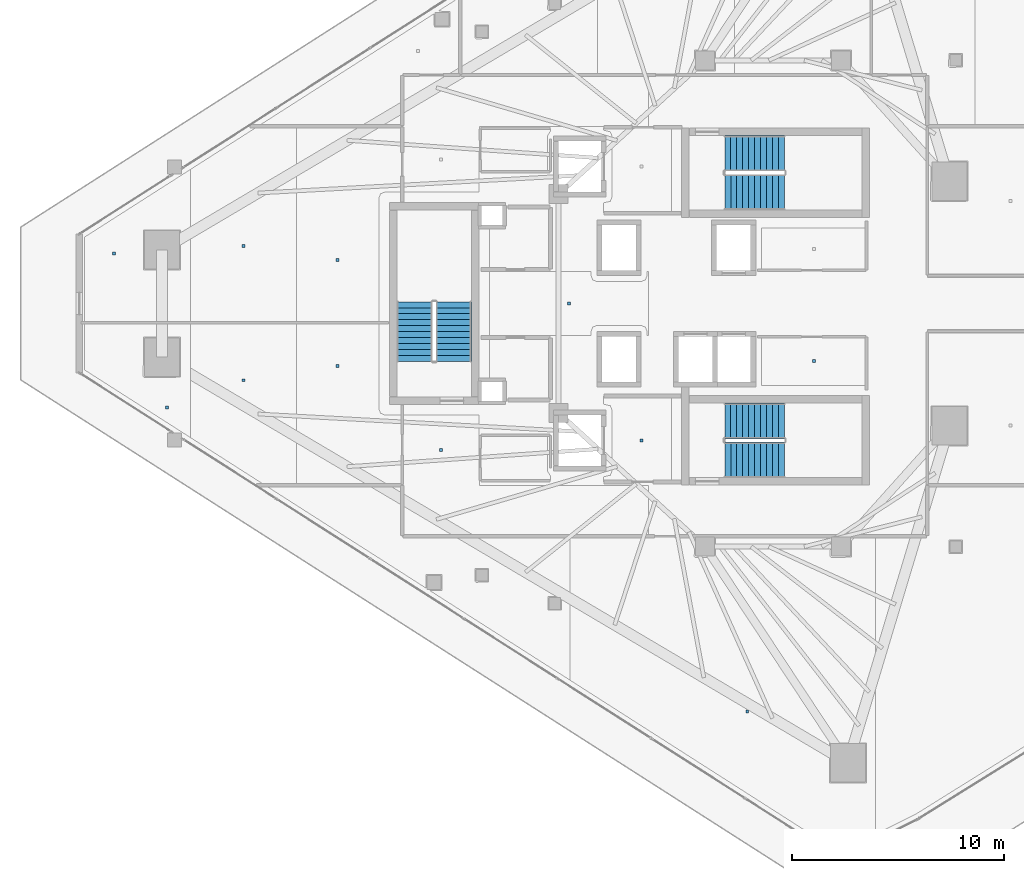
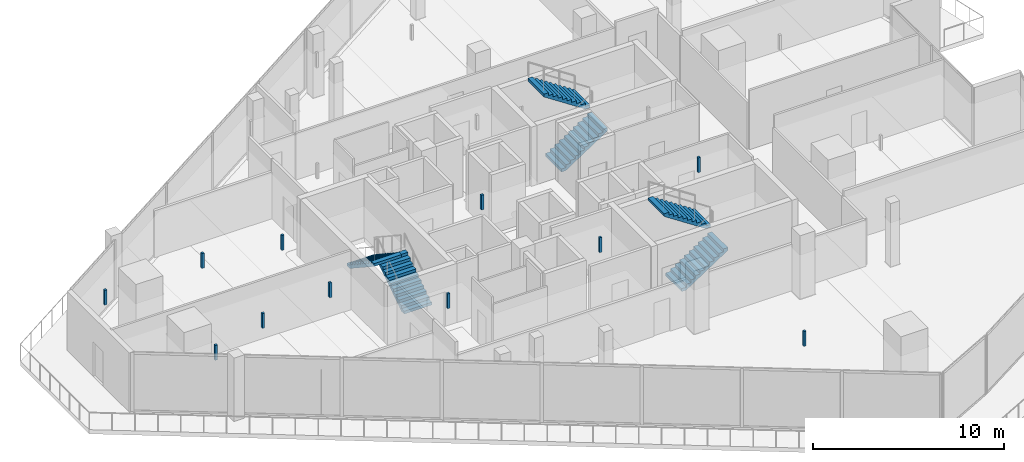
# One storey, part 26 of 33: 11 discrete accessories, 6 stair flights, 3 elements without a shape of their own.
"""IFC4 building model written with IfcOpenShell, lengths in metres."""

from ifc_helpers import new_model, si_unit, direction, frame, origin, origin_2d, place, context, subcontext, project, spatial, polyline, rectangle, outline, extrude, material, layer, layer_set, type_object, element, aggregate, save


model = new_model("IFC4")

# Units and contexts
model_context = context("Model", 3, precision=1e-05, world=origin(), true_north=direction((0.0, 1.0)))
body_context = subcontext(model_context, "Body", "Model", "MODEL_VIEW")
ifc_project = project(units=[si_unit("LENGTHUNIT", "METRE"), si_unit("AREAUNIT", "SQUARE_METRE"), si_unit("VOLUMEUNIT", "CUBIC_METRE"), si_unit("PLANEANGLEUNIT", "RADIAN"), si_unit("MASSUNIT", "GRAM", prefix="KILO")], contexts=[model_context])

# Site, building, storey
site_placement = place(None, origin())
site = spatial("IfcSite", under=ifc_project, at=site_placement, CompositionType="ELEMENT")
building_placement = place(site_placement, origin())
building = spatial("IfcBuilding", under=site, at=building_placement, Name="Qorvath Tower", CompositionType="ELEMENT")
storey_placement = place(building_placement, frame((0.0, 0.0, 221.25)))
storey = spatial("IfcBuildingStorey", under=building, at=storey_placement, Name="L51", CompositionType="ELEMENT", Elevation=221.25)

# Stair, stair flights
ifc_material_1 = material(Name="Concrete C50/60", Category="concrete")
stair_type = type_object("IfcStairType", Name="ST-H405", PredefinedType="HALF_TURN_STAIR", material=ifc_material_1)
stair_1_placement = place(storey_placement, origin())
stair_1 = element("IfcStair", 1, at=stair_1_placement, inside=storey, type_object=stair_type, Name="L51 Tower Exit Stair 1", PredefinedType="HALF_TURN_STAIR")
ifc_material_2 = material(Name="Concrete C50/60", Category="concrete")
ifc_layer = layer(ifc_material_2, 0.14990234375)
ifc_layer_set = layer_set([ifc_layer], Name="SF-H405")
stair_flight_type = type_object("IfcStairFlightType", Name="SF-H405", PredefinedType="STRAIGHT", material=ifc_layer_set)
stair_flight_1_placement = place(storey_placement, frame((-22.669921875, 5.239990234375, 0.0), z_axis=(0.0, 0.0, 1.0), x_axis=(1.0, 0.0, 0.0)))
stair_flight_1 = element("IfcStairFlight", 2, at=stair_flight_1_placement, type_object=stair_flight_type, Name="TS1 flight 1", NumberOfRisers=11, NumberOfTreads=10, PredefinedType="STRAIGHT", RiserHeight=0.184090909, TreadLength=0.28, context=body_context, shape_type="SweptSolid", body=[
    extrude(outline(polyline([(0.0, 0.0), (0.0, 0.18408203125), (0.280029296875, 0.18408203125), (0.280029296875, 0.3681640625), (0.56005859375, 0.3681640625), (0.56005859375, 0.55224609375), (0.840087890625, 0.55224609375), (0.840087890625, 0.736328125), (1.1201171875, 0.736328125), (1.1201171875, 0.92041015625), (1.39990234375, 0.92041015625), (1.39990234375, 1.1044921875), (1.679931640625, 1.1044921875), (1.679931640625, 1.28857421875), (1.9599609375, 1.28857421875), (1.9599609375, 1.47265625), (2.239990234375, 1.47265625), (2.239990234375, 1.65673828125), (2.52001953125, 1.65673828125), (2.52001953125, 1.8408203125), (2.800048828125, 1.8408203125), (2.800048828125, 2.02490234375), (2.800048828125, 1.66162109375), (0.27294921875, 0.0), (0.0, 0.0)])), frame((0.0, 0.83984375, 0.0), z_axis=(0.0, -1.0, 0.0), x_axis=(1.0, 0.0, 0.0)), (0.0, 0.0, 1.0), 1.679931640625),
])
stair_flight_2_placement = place(storey_placement, frame((-19.8701171875, 7.070068359375, 2.02490234375), z_axis=(0.0, 0.0, 1.0), x_axis=(-1.0, 0.0, 0.0)))
stair_flight_2 = element("IfcStairFlight", 3, at=stair_flight_2_placement, type_object=stair_flight_type, Name="TS1 flight 2", NumberOfRisers=11, NumberOfTreads=10, PredefinedType="STRAIGHT", RiserHeight=0.184090909, TreadLength=0.28, context=body_context, shape_type="SweptSolid", body=[
    extrude(outline(polyline([(0.0, 0.0), (0.0, 0.18408203125), (0.280029296875, 0.18408203125), (0.280029296875, 0.3681640625), (0.56005859375, 0.3681640625), (0.56005859375, 0.55224609375), (0.840087890625, 0.55224609375), (0.840087890625, 0.736328125), (1.1201171875, 0.736328125), (1.1201171875, 0.92041015625), (1.39990234375, 0.92041015625), (1.39990234375, 1.1044921875), (1.679931640625, 1.1044921875), (1.679931640625, 1.28857421875), (1.9599609375, 1.28857421875), (1.9599609375, 1.47265625), (2.239990234375, 1.47265625), (2.239990234375, 1.65673828125), (2.52001953125, 1.65673828125), (2.52001953125, 1.8408203125), (2.800048828125, 1.8408203125), (2.800048828125, 2.02490234375), (2.800048828125, 1.66162109375), (0.27294921875, 0.0), (0.0, 0.0)])), frame((0.0, 0.83984375, 0.0), z_axis=(0.0, -1.0, 0.0), x_axis=(1.0, 0.0, 0.0)), (0.0, 0.0, 1.0), 1.679931640625),
])
aggregate(stair_1, [stair_flight_1, stair_flight_2])

stair_2_placement = place(storey_placement, origin())
stair_2 = element("IfcStair", 4, at=stair_2_placement, inside=storey, type_object=stair_type, Name="L51 Tower Exit Stair 2", PredefinedType="HALF_TURN_STAIR")
stair_flight_3_placement = place(storey_placement, frame((-22.669921875, -7.360107421875, 0.0), z_axis=(0.0, 0.0, 1.0), x_axis=(1.0, 0.0, 0.0)))
stair_flight_3 = element("IfcStairFlight", 5, at=stair_flight_3_placement, type_object=stair_flight_type, Name="TS2 flight 1", NumberOfRisers=11, NumberOfTreads=10, PredefinedType="STRAIGHT", RiserHeight=0.184090909, TreadLength=0.28, context=body_context, shape_type="SweptSolid", body=[
    extrude(outline(polyline([(0.0, 0.0), (0.0, 0.18408203125), (0.280029296875, 0.18408203125), (0.280029296875, 0.3681640625), (0.56005859375, 0.3681640625), (0.56005859375, 0.55224609375), (0.840087890625, 0.55224609375), (0.840087890625, 0.736328125), (1.1201171875, 0.736328125), (1.1201171875, 0.92041015625), (1.39990234375, 0.92041015625), (1.39990234375, 1.1044921875), (1.679931640625, 1.1044921875), (1.679931640625, 1.28857421875), (1.9599609375, 1.28857421875), (1.9599609375, 1.47265625), (2.239990234375, 1.47265625), (2.239990234375, 1.65673828125), (2.52001953125, 1.65673828125), (2.52001953125, 1.8408203125), (2.800048828125, 1.8408203125), (2.800048828125, 2.02490234375), (2.800048828125, 1.66162109375), (0.27294921875, 0.0), (0.0, 0.0)])), frame((0.0, 0.83984375, 0.0), z_axis=(0.0, -1.0, 0.0), x_axis=(1.0, 0.0, 0.0)), (0.0, 0.0, 1.0), 1.679931640625),
])
stair_flight_4_placement = place(storey_placement, frame((-19.8701171875, -5.530029296875, 2.02490234375), z_axis=(0.0, 0.0, 1.0), x_axis=(-1.0, 0.0, 0.0)))
stair_flight_4 = element("IfcStairFlight", 6, at=stair_flight_4_placement, type_object=stair_flight_type, Name="TS2 flight 2", NumberOfRisers=11, NumberOfTreads=10, PredefinedType="STRAIGHT", RiserHeight=0.184090909, TreadLength=0.28, context=body_context, shape_type="SweptSolid", body=[
    extrude(outline(polyline([(0.0, 0.0), (0.0, 0.18408203125), (0.280029296875, 0.18408203125), (0.280029296875, 0.3681640625), (0.56005859375, 0.3681640625), (0.56005859375, 0.55224609375), (0.840087890625, 0.55224609375), (0.840087890625, 0.736328125), (1.1201171875, 0.736328125), (1.1201171875, 0.92041015625), (1.39990234375, 0.92041015625), (1.39990234375, 1.1044921875), (1.679931640625, 1.1044921875), (1.679931640625, 1.28857421875), (1.9599609375, 1.28857421875), (1.9599609375, 1.47265625), (2.239990234375, 1.47265625), (2.239990234375, 1.65673828125), (2.52001953125, 1.65673828125), (2.52001953125, 1.8408203125), (2.800048828125, 1.8408203125), (2.800048828125, 2.02490234375), (2.800048828125, 1.66162109375), (0.27294921875, 0.0), (0.0, 0.0)])), frame((0.0, 0.83984375, 0.0), z_axis=(0.0, -1.0, 0.0), x_axis=(1.0, 0.0, 0.0)), (0.0, 0.0, 1.0), 1.679931640625),
])
aggregate(stair_2, [stair_flight_3, stair_flight_4])

stair_3_placement = place(storey_placement, origin())
stair_3 = element("IfcStair", 7, at=stair_3_placement, inside=storey, type_object=stair_type, Name="L51 Tower Exit Stair 3", PredefinedType="HALF_TURN_STAIR")
stair_flight_5_placement = place(storey_placement, frame((-35.43994140625, -2.719970703125, 0.0), z_axis=(0.0, 0.0, 1.0), x_axis=(0.0, 1.0, 0.0)))
stair_flight_5 = element("IfcStairFlight", 8, at=stair_flight_5_placement, type_object=stair_flight_type, Name="TS3 flight 1", NumberOfRisers=11, NumberOfTreads=10, PredefinedType="STRAIGHT", RiserHeight=0.184090909, TreadLength=0.28, context=body_context, shape_type="SweptSolid", body=[
    extrude(outline(polyline([(0.0, 0.0), (0.0, 0.18408203125), (0.280029296875, 0.18408203125), (0.280029296875, 0.3681640625), (0.56005859375, 0.3681640625), (0.56005859375, 0.55224609375), (0.840087890625, 0.55224609375), (0.840087890625, 0.736328125), (1.1201171875, 0.736328125), (1.1201171875, 0.92041015625), (1.39990234375, 0.92041015625), (1.39990234375, 1.1044921875), (1.679931640625, 1.1044921875), (1.679931640625, 1.28857421875), (1.9599609375, 1.28857421875), (1.9599609375, 1.47265625), (2.239990234375, 1.47265625), (2.239990234375, 1.65673828125), (2.52001953125, 1.65673828125), (2.52001953125, 1.8408203125), (2.800048828125, 1.8408203125), (2.800048828125, 2.02490234375), (2.800048828125, 1.66162109375), (0.27294921875, 0.0), (0.0, 0.0)])), frame((0.0, 0.83984375, 0.0), z_axis=(0.0, -1.0, 0.0), x_axis=(1.0, 0.0, 0.0)), (0.0, 0.0, 1.0), 1.679931640625),
])
stair_flight_6_placement = place(storey_placement, frame((-37.27001953125, 0.080078125, 2.02490234375), z_axis=(0.0, 0.0, 1.0), x_axis=(0.0, -1.0, 0.0)))
stair_flight_6 = element("IfcStairFlight", 9, at=stair_flight_6_placement, type_object=stair_flight_type, Name="TS3 flight 2", NumberOfRisers=11, NumberOfTreads=10, PredefinedType="STRAIGHT", RiserHeight=0.184090909, TreadLength=0.28, context=body_context, shape_type="SweptSolid", body=[
    extrude(outline(polyline([(0.0, 0.0), (0.0, 0.18408203125), (0.280029296875, 0.18408203125), (0.280029296875, 0.3681640625), (0.56005859375, 0.3681640625), (0.56005859375, 0.55224609375), (0.840087890625, 0.55224609375), (0.840087890625, 0.736328125), (1.1201171875, 0.736328125), (1.1201171875, 0.92041015625), (1.39990234375, 0.92041015625), (1.39990234375, 1.1044921875), (1.679931640625, 1.1044921875), (1.679931640625, 1.28857421875), (1.9599609375, 1.28857421875), (1.9599609375, 1.47265625), (2.239990234375, 1.47265625), (2.239990234375, 1.65673828125), (2.52001953125, 1.65673828125), (2.52001953125, 1.8408203125), (2.800048828125, 1.8408203125), (2.800048828125, 2.02490234375), (2.800048828125, 1.66162109375), (0.27294921875, 0.0), (0.0, 0.0)])), frame((0.0, 0.83984375, 0.0), z_axis=(0.0, -1.0, 0.0), x_axis=(1.0, 0.0, 0.0)), (0.0, 0.0, 1.0), 1.679931640625),
])
aggregate(stair_3, [stair_flight_5, stair_flight_6])

# Discrete accessories
ifc_material_3 = material(Name="Galvanised steel bracket", Category="steel")
discrete_accessory_type = type_object("IfcDiscreteAccessoryType", Name="DA-BRACKET", PredefinedType="BRACKET", material=ifc_material_3)
for number, where, z_axis, x_axis, name in (
    (10, (-26.590087890625, -6.449951171875, 2.85986328125), (0.0, 0.0, 1.0), (1.0, 0.0, 0.0), "Acoustic Ceiling Suspension Hanger T1-L51-002"),
    (11, (-18.472412109375, -2.70751953125, 2.85986328125), (0.0, 0.0, 1.0), (1.0, 0.0, 0.0), "Acoustic Ceiling Suspension Hanger T1-L51-004"),
    (12, (-36.04150390625, -6.907470703125, 2.85986328125), (0.0, 0.0, 1.0), (1.0, 0.0, 0.0), "Acoustic Ceiling Suspension Hanger T1-L51-009"),
    (13, (-30.009521484375, 0.0, 2.85986328125), (0.0, 0.0, 1.0), (1.0, 0.0, 0.0), "Acoustic Ceiling Suspension Hanger T1-L51-011"),
    (14, (-21.61279296875, -19.212158203125, 2.85986328125), (0.0, 0.0, 1.0), (1.0, 0.0, 0.0), "Acoustic Ceiling Suspension Hanger T1-L51-020"),
    (15, (-48.934326171875, -4.89990234375, 2.85986328125), (0.0, 0.0, 1.0), (1.0, 0.0, 0.0), "Acoustic Ceiling Suspension Hanger T1-L51-026"),
    (16, (-45.337890625, -3.61376953125, 2.85986328125), (0.0, 0.0, 1.0), (1.0, 0.0, 0.0), "Acoustic Ceiling Suspension Hanger T1-L51-027"),
    (17, (-40.898193359375, -2.95263671875, 2.85986328125), (0.0, 0.0, 1.0), (1.0, 0.0, 0.0), "Acoustic Ceiling Suspension Hanger T1-L51-028"),
    (18, (-51.426025390625, 2.356201171875, 2.85986328125), (0.0, 0.0, 1.0), (1.0, 0.0, 0.0), "Acoustic Ceiling Suspension Hanger T1-L51-029"),
    (19, (-45.337890625, 2.70751953125, 2.85986328125), (0.0, 0.0, 1.0), (1.0, 0.0, 0.0), "Acoustic Ceiling Suspension Hanger T1-L51-030"),
    (20, (-40.898193359375, 2.04638671875, 2.85986328125), (0.0, 0.0, 1.0), (1.0, 0.0, 0.0), "Acoustic Ceiling Suspension Hanger T1-L51-031"),
):
    element("IfcDiscreteAccessory", number, at=place(storey_placement, frame(where, z_axis=z_axis, x_axis=x_axis)), inside=storey, type_object=discrete_accessory_type, Name=name, PredefinedType="NOTDEFINED", context=body_context, shape_type="SweptSolid", body=[
        extrude(rectangle(XDim=0.139892578125, YDim=0.139892578125, at=origin_2d()), origin(), (0.0, 0.0, 1.0), 0.949951171875),
    ])

save(model, "model.ifc")
